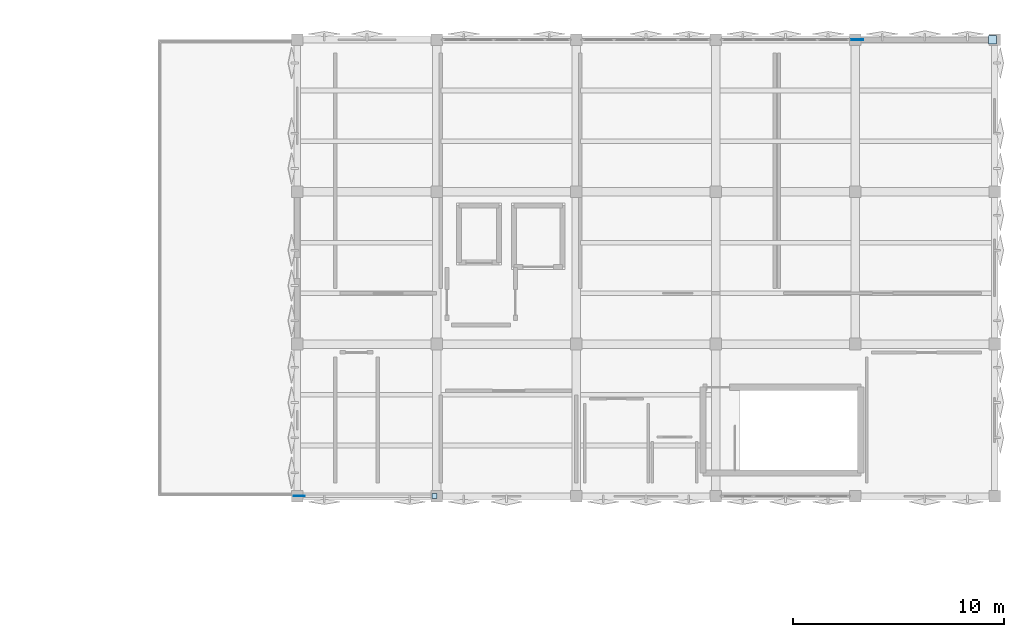
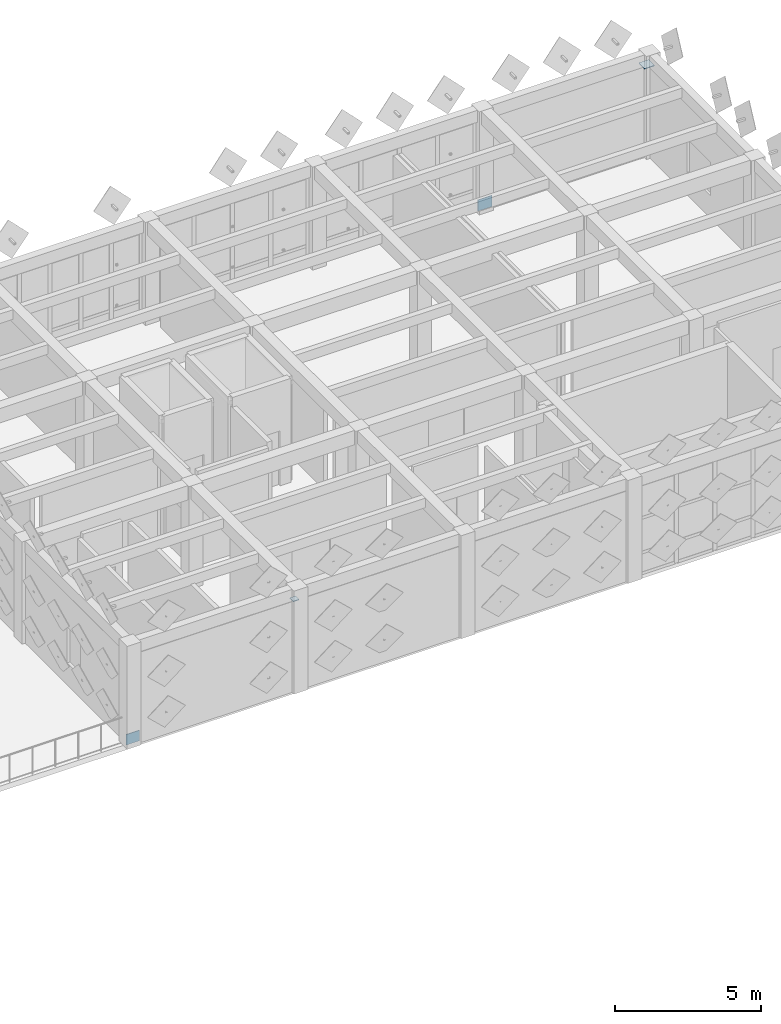
# One storey, part 19 of 29: 4 plates.
"""IFC4 building model written with IfcOpenShell, lengths in metres."""

import ifcopenshell
import ifcopenshell.guid

model = None  # the IFC model being written
_history = None  # IfcOwnerHistory: only IFC2X3 demands one
_inside = {}  # id of a spatial element -> (the spatial element, [elements in it])
_under = {}  # id of a project, library or spatial element -> (it, [spatial elements below it])
_declared = {}  # id of a project -> (the project, [libraries it declares])
_typed = {}  # id of a type object -> (the type object, [elements of that type])
_made_of = {}  # id of a material, layer set ... -> (it, [elements and type objects made of it])


def new_model(schema):
    """Start an empty IFC model of exactly this schema.

    Asked for "IFC4X3", IfcOpenShell would pick the latest addendum, in which some entities
    have other attributes; the version numbers below select the first issue.
    IFC2X3 requires an IfcOwnerHistory on every rooted entity: one is made here for all.
    """
    global model, _history
    if schema == "IFC4X3":
        model = ifcopenshell.file(schema_version=(4, 3, 0, 0))
    else:
        model = ifcopenshell.file(schema=schema)
    _inside.clear()
    _under.clear()
    _declared.clear()
    _typed.clear()
    _made_of.clear()
    _history = None
    if model.schema == "IFC2X3":
        org = make("IfcOrganization", Name="unknown")
        user = make(
            "IfcPersonAndOrganization",
            ThePerson=make("IfcPerson", FamilyName="unknown"),
            TheOrganization=org,
        )
        app = make(
            "IfcApplication",
            ApplicationDeveloper=org,
            Version="unknown",
            ApplicationFullName="unknown",
            ApplicationIdentifier="unknown",
        )
        _history = make(
            "IfcOwnerHistory",
            OwningUser=user,
            OwningApplication=app,
            ChangeAction="ADDED",
            CreationDate=0,
        )
    return model


def make(cls, **values):
    """One entity of the class cls with the attributes given. An attribute that is None is left unset."""
    return model.create_entity(
        cls, **{name: value for name, value in values.items() if value is not None}
    )


def rooted(cls, **values):
    """An entity with a GlobalId (a new one), such as an element, a storey or a relation."""
    return make(cls, GlobalId=ifcopenshell.guid.new(), OwnerHistory=_history, **values)


def si_unit(unit_type, name, prefix=None):
    """IfcSIUnit, for example si_unit("LENGTHUNIT", "METRE", prefix="MILLI")."""
    return make("IfcSIUnit", UnitType=unit_type, Prefix=prefix, Name=name)


def assignment(units):
    """IfcUnitAssignment: the units of a project."""
    return None if units is None else make("IfcUnitAssignment", Units=units)


def point(xyz):
    """IfcCartesianPoint."""
    return None if xyz is None else make("IfcCartesianPoint", Coordinates=xyz)


def direction(xyz):
    """IfcDirection."""
    return None if xyz is None else make("IfcDirection", DirectionRatios=xyz)


def frame(location, z_axis=None, x_axis=None):
    """IfcAxis2Placement3D, a coordinate frame: its origin and axes. An axis left out is left unset."""
    return make(
        "IfcAxis2Placement3D",
        Location=point(location),
        Axis=direction(z_axis),
        RefDirection=direction(x_axis),
    )


def frame_2d(location, x_axis=None):
    """IfcAxis2Placement2D, a coordinate frame in the plane: its origin and x axis."""
    return make(
        "IfcAxis2Placement2D", Location=point(location), RefDirection=direction(x_axis)
    )


def origin():
    """The frame at (0, 0, 0) with its axes left unset."""
    return frame((0.0, 0.0, 0.0))


def origin_2d():
    """The frame at (0, 0) in the plane with its x axis left unset."""
    return frame_2d((0.0, 0.0))


def place(relative_to, where):
    """IfcLocalPlacement: puts the frame where relative to a parent placement (None: the world)."""
    return make(
        "IfcLocalPlacement", PlacementRelTo=relative_to, RelativePlacement=where
    )


def context(
    kind, dimensions, precision=None, world=None, true_north=None, identifier=None
):
    """IfcGeometricRepresentationContext, for example the 3D "Model" context."""
    return make(
        "IfcGeometricRepresentationContext",
        ContextIdentifier=identifier,
        ContextType=kind,
        CoordinateSpaceDimension=dimensions,
        Precision=precision,
        WorldCoordinateSystem=world,
        TrueNorth=true_north,
    )


def subcontext(parent, identifier, kind, view, scale=None):
    """IfcGeometricRepresentationSubContext, for example "Body" below "Model"."""
    return make(
        "IfcGeometricRepresentationSubContext",
        ContextIdentifier=identifier,
        ContextType=kind,
        ParentContext=parent,
        TargetScale=scale,
        TargetView=view,
    )


def project(units=None, contexts=None):
    """IfcProject with its units and contexts."""
    return rooted(
        "IfcProject",
        Name="project",
        RepresentationContexts=contexts,
        UnitsInContext=assignment(units),
    )


def spatial(cls, under=None, at=None, **own):
    """A site, building, storey or space (cls), placed at a placement, below another one or the project."""
    s = rooted(cls, ObjectPlacement=at, **own)
    if under is not None:
        _under.setdefault(under.id(), (under, []))[1].append(s)
    return s


def profile(cls, at=None, kind="AREA", **sizes):
    """A parametric profile (cls). Its sizes go by their IFC names, for example OverallWidth=200.0."""
    return make(cls, ProfileType=kind, Position=at, **sizes)


def rectangle(**sizes):
    """IfcRectangleProfileDef."""
    return profile("IfcRectangleProfileDef", **sizes)


def extrude(swept, where, along, depth):
    """IfcExtrudedAreaSolid: the profile swept, set in the frame where, extruded along a direction by depth."""
    return make(
        "IfcExtrudedAreaSolid",
        SweptArea=swept,
        Position=where,
        ExtrudedDirection=direction(along),
        Depth=depth,
    )


def shape(context_of_items, identifier, shape_type, items):
    """IfcShapeRepresentation: the items that make up one representation, for example the "Body"."""
    return make(
        "IfcShapeRepresentation",
        ContextOfItems=context_of_items,
        RepresentationIdentifier=identifier,
        RepresentationType=shape_type,
        Items=items,
    )


def material(Name=None, Category=None):
    """IfcMaterial."""
    return make("IfcMaterial", Name=Name, Category=Category)


def layer(
    of_material, thickness, ventilated=None, Name=None, Category=None, Priority=None
):
    """IfcMaterialLayer: one layer of a wall or slab, of a material (None: an air gap)."""
    return make(
        "IfcMaterialLayer",
        Material=of_material,
        LayerThickness=thickness,
        IsVentilated=ventilated,
        Name=Name,
        Category=Category,
        Priority=Priority,
    )


def layer_set(layers, Name=None):
    """IfcMaterialLayerSet."""
    return make("IfcMaterialLayerSet", MaterialLayers=layers, LayerSetName=Name)


def made_of(thing, what):
    """Note that an element or type object is made of a material, layer set ...; save() writes the relation."""
    if what is not None:
        _made_of.setdefault(what.id(), (what, []))[1].append(thing)
    return thing


def type_object(cls, material=None, **own):
    """A type object (cls), such as IfcWallType, which elements share."""
    return made_of(rooted(cls, **own), material)


def element(
    cls,
    number,
    at=None,
    inside=None,
    cuts=None,
    type_object=None,
    material=None,
    context=None,
    identifier="Body",
    shape_type=None,
    held_by="IfcProductDefinitionShape",
    body=None,
    shapes=None,
    **own,
):
    """One element of the class cls, such as IfcWall. Its Tag is "e" and its number.

    at: its placement. inside: the storey or other place that contains it. cuts: it is an
    opening in that element (IfcRelVoidsElement). A single representation is given by context,
    identifier, shape_type and body (its items); several are given by shapes. held_by: the class
    of the entity that holds the representations. save() writes the other relations.
    """
    e = rooted(cls, Tag="e%d" % number, ObjectPlacement=at, **own)
    if body is not None:
        shapes = [shape(context, identifier, shape_type, body)]
    if shapes is not None:
        e.Representation = make(held_by, Representations=shapes)
    if inside is not None:
        _inside.setdefault(inside.id(), (inside, []))[1].append(e)
    if cuts is not None:
        rooted(
            "IfcRelVoidsElement", RelatingBuildingElement=cuts, RelatedOpeningElement=e
        )
    if type_object is not None:
        _typed.setdefault(type_object.id(), (type_object, []))[1].append(e)
    return made_of(e, material)


def aggregate(whole, parts):
    """IfcRelAggregates: a whole, such as a stair, and the parts it consists of."""
    return rooted("IfcRelAggregates", RelatingObject=whole, RelatedObjects=parts)


def save(model, path):
    """Write the relations noted so far, then the file.

    IfcRelAggregates (storeys below a building ...), IfcRelContainedInSpatialStructure (elements
    in a storey), IfcRelDefinesByType, IfcRelAssociatesMaterial and IfcRelDeclares: one each for
    every whole, place, type object, material and project.
    """
    for whole, parts in _under.values():
        aggregate(whole, parts)
    for where, things in _inside.values():
        rooted(
            "IfcRelContainedInSpatialStructure",
            RelatedElements=things,
            RelatingStructure=where,
        )
    for kind, things in _typed.values():
        rooted("IfcRelDefinesByType", RelatedObjects=things, RelatingType=kind)
    for what, things in _made_of.values():
        rooted("IfcRelAssociatesMaterial", RelatedObjects=things, RelatingMaterial=what)
    for by, libraries in _declared.values():
        rooted("IfcRelDeclares", RelatingContext=by, RelatedDefinitions=libraries)
    model.write(path)


model = new_model("IFC4")

# Units and contexts
model_context = context("Model", 3, precision=1e-05, world=origin(), true_north=direction((0.0, 1.0)))
body_context = subcontext(model_context, "Body", "Model", "MODEL_VIEW")
ifc_project = project(units=[si_unit("LENGTHUNIT", "METRE"), si_unit("AREAUNIT", "SQUARE_METRE"), si_unit("VOLUMEUNIT", "CUBIC_METRE"), si_unit("PLANEANGLEUNIT", "RADIAN"), si_unit("MASSUNIT", "GRAM", prefix="KILO")], contexts=[model_context])

# Site, building, storey
site_placement = place(None, origin())
site = spatial("IfcSite", under=ifc_project, at=site_placement, CompositionType="ELEMENT")
building_placement = place(site_placement, origin())
building = spatial("IfcBuilding", under=site, at=building_placement, Name="Kharisveld Research Institute", CompositionType="ELEMENT")
storey_placement = place(building_placement, frame((0.0, 0.0, 32.10009765625)))
storey = spatial("IfcBuildingStorey", under=building, at=storey_placement, Name="L07", CompositionType="ELEMENT", Elevation=32.10009765625)

# Plates
ifc_material_1 = material(Name="Steel S355JR", Category="steel")
ifc_layer_1 = layer(ifc_material_1, 0.02587890625)
ifc_layer_set_1 = layer_set([ifc_layer_1], Name="PL_CAP_D")
plate_type_1 = type_object("IfcPlateType", Name="PL_CAP_D", PredefinedType="SHEET", material=ifc_layer_set_1)
plate_1_placement = place(storey_placement, frame((134.300048828125, 39.199951171875, 3.741943359375), z_axis=(0.0, 0.0, 1.0), x_axis=(1.0, 0.0, 0.0)))
element("IfcPlate", 1, at=plate_1_placement, inside=storey, type_object=plate_type_1, Name="PLT:V2:L07:CAP_2_0", PredefinedType="SHEET", context=body_context, shape_type="SweptSolid", body=[
    extrude(rectangle(XDim=0.239990234375, YDim=0.239990234375, at=origin_2d()), origin(), (0.0, 0.0, 1.0), 0.02587890625),
])
ifc_material_2 = material(Name="Steel S355JR", Category="steel")
ifc_layer_2 = layer(ifc_material_2, 0.030029296875)
ifc_layer_set_2 = layer_set([ifc_layer_2], Name="PL_CAP_E")
plate_type_2 = type_object("IfcPlateType", Name="PL_CAP_E", PredefinedType="SHEET", material=ifc_layer_set_2)
plate_2_placement = place(storey_placement, frame((160.699951171875, 60.800048828125, 3.73974609375), z_axis=(0.0, 0.0, 1.0), x_axis=(1.0, 0.0, 0.0)))
element("IfcPlate", 2, at=plate_2_placement, inside=storey, type_object=plate_type_2, Name="PLT:V2:L07:CAP_6_3", PredefinedType="SHEET", context=body_context, shape_type="SweptSolid", body=[
    extrude(rectangle(XDim=0.39990234375, YDim=0.39990234375, at=origin_2d()), origin(), (0.0, 0.0, 1.0), 0.030029296875),
])
ifc_material_3 = material(Name="Steel S355JR", Category="steel")
ifc_layer_3 = layer(ifc_material_3, 0.028076171875)
ifc_layer_set_3 = layer_set([ifc_layer_3], Name="PL_GUS_D")
plate_type_3 = type_object("IfcPlateType", Name="PL_GUS_D", PredefinedType="USERDEFINED", material=ifc_layer_set_3)
plate_3_placement = place(storey_placement, frame((127.89990234375, 39.199951171875, -0.02001953125), z_axis=(0.0, 0.0, 1.0), x_axis=(1.0, 0.0, 0.0)))
element("IfcPlate", 3, at=plate_3_placement, inside=storey, type_object=plate_type_3, Name="PLT:V2:L07:GUS_2_0", ObjectType="GUSSET PLATE", PredefinedType="USERDEFINED", context=body_context, shape_type="SweptSolid", body=[
    extrude(rectangle(XDim=0.52001953125, YDim=0.028076171875, at=origin_2d()), origin(), (0.0, 0.0, 1.0), 0.43994140625),
])
ifc_material_4 = material(Name="Steel S355JR", Category="steel")
ifc_layer_4 = layer(ifc_material_4, 0.031982421875)
ifc_layer_set_4 = layer_set([ifc_layer_4], Name="PL_GUS_E")
plate_type_4 = type_object("IfcPlateType", Name="PL_GUS_E", PredefinedType="USERDEFINED", material=ifc_layer_set_4)
plate_4_placement = place(storey_placement, frame((154.300048828125, 60.800048828125, -0.030029296875), z_axis=(0.0, 0.0, 1.0), x_axis=(1.0, 0.0, 0.0)))
element("IfcPlate", 4, at=plate_4_placement, inside=storey, type_object=plate_type_4, Name="PLT:V2:L07:GUS_6_3", ObjectType="GUSSET PLATE", PredefinedType="USERDEFINED", context=body_context, shape_type="SweptSolid", body=[
    extrude(rectangle(XDim=0.56005859375, YDim=0.031982421875, at=origin_2d()), origin(), (0.0, 0.0, 1.0), 0.4599609375),
])

save(model, "model.ifc")
